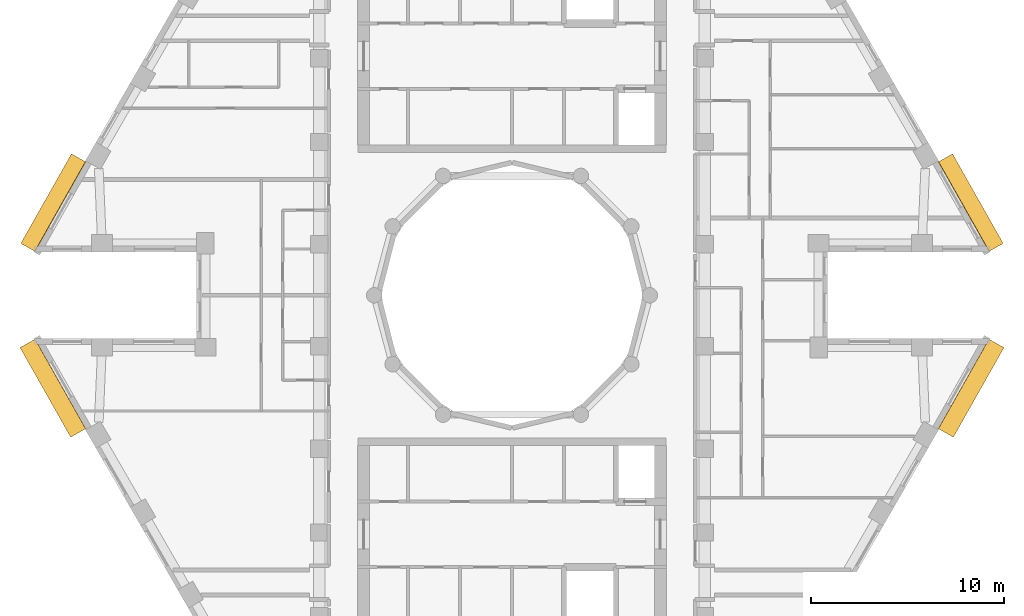
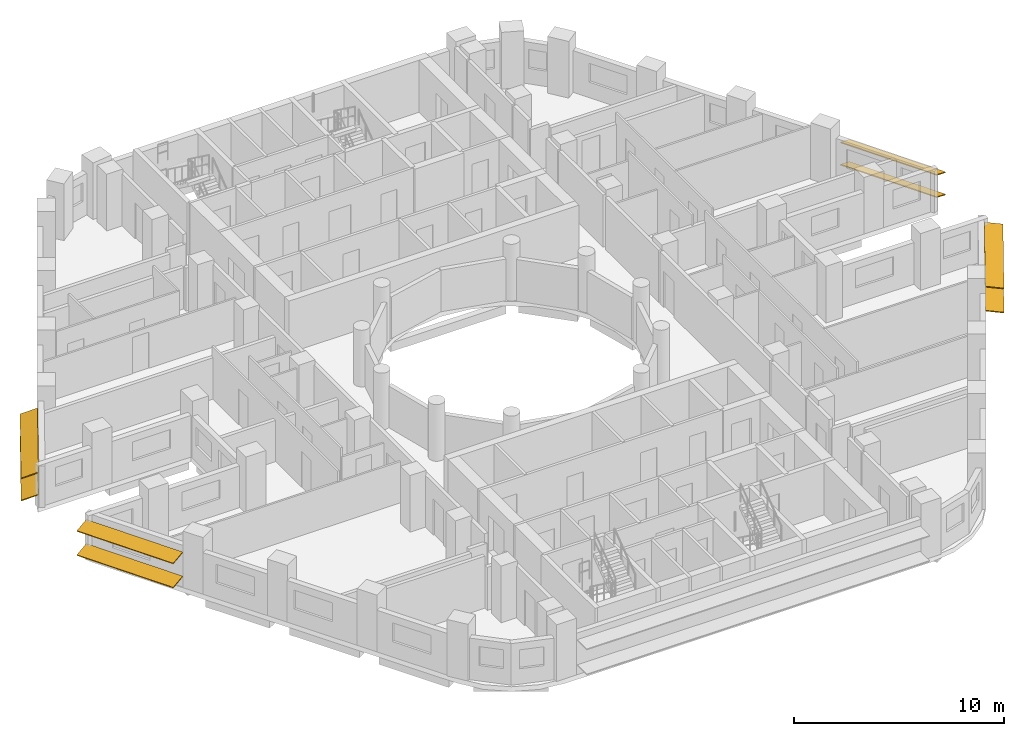
# One storey, part 11 of 12: 8 shading devices.
"""IFC4 building model written with IfcOpenShell, lengths in metres."""

from ifc_helpers import new_model, si_unit, direction, frame, origin, origin_2d, place, context, subcontext, project, spatial, rectangle, extrude, material, material_profile, profile_set, type_object, element, save


model = new_model("IFC4")

# Units and contexts
model_context = context("Model", 3, precision=1e-05, world=origin(), true_north=direction((0.0, 1.0)))
body_context = subcontext(model_context, "Body", "Model", "MODEL_VIEW")
ifc_project = project(units=[si_unit("LENGTHUNIT", "METRE"), si_unit("AREAUNIT", "SQUARE_METRE"), si_unit("VOLUMEUNIT", "CUBIC_METRE"), si_unit("PLANEANGLEUNIT", "RADIAN"), si_unit("MASSUNIT", "GRAM", prefix="KILO")], contexts=[model_context])

# Site, building, storey
site_placement = place(None, origin())
site = spatial("IfcSite", under=ifc_project, at=site_placement, CompositionType="ELEMENT")
building_placement = place(site_placement, origin())
building = spatial("IfcBuilding", under=site, at=building_placement, Name="Nakaniwa Court", CompositionType="ELEMENT")
storey_placement = place(building_placement, frame((0.0, 0.0, 252.60009765625)))
storey = spatial("IfcBuildingStorey", under=building, at=storey_placement, Name="L66", CompositionType="ELEMENT", Elevation=252.60009765625)

# Shading devices
ifc_material = material(Name="Perforated charcoal ceramic louvre blade")
ifc_material_profile = material_profile(ifc_material, rectangle(XDim=0.89990234375, YDim=0.050048828125, at=origin_2d()), Name="Perforated ceramic louvre blade")
ifc_profile_set = profile_set([ifc_material_profile], Name="Perforated charcoal ceramic louvre blade")
shading_device_type = type_object("IfcShadingDeviceType", Name="Perforated ceramic louvre blade", PredefinedType="JALOUSIE", material=ifc_profile_set)
for number, where, z_axis, x_axis, name in (
    (1, (105.103759765625, 82.480224609375, 0.5498046875), (-0.492088911474, 0.870544946114, 0.0), (-0.804858877011, -0.454958851288, 0.38107037635), "L66 perforated ceramic louvre blade w02 1"),
    (2, (105.103759765625, 82.480224609375, 1.84521484375), (-0.492088911474, 0.870544946114, 0.0), (-0.804858877011, -0.454958851288, 0.38107037635), "L66 perforated ceramic louvre blade w02 2"),
    (3, (57.5224609375, 87.126220703125, 0.5498046875), (-0.492088911474, -0.870544946114, 0.0), (0.804858877011, -0.454958851288, 0.38107037635), "L66 perforated ceramic louvre blade w14 1"),
    (4, (57.5224609375, 87.126220703125, 1.84521484375), (-0.492088911474, -0.870544946114, 0.0), (0.804858877011, -0.454958851288, 0.38107037635), "L66 perforated ceramic louvre blade w14 2"),
):
    element("IfcShadingDevice", number, at=place(storey_placement, frame(where, z_axis=z_axis, x_axis=x_axis)), inside=storey, type_object=shading_device_type, Name=name, PredefinedType="JALOUSIE", context=body_context, shape_type="SweptSolid", body=[
        extrude(rectangle(XDim=0.89990234375, YDim=0.050048828125, at=origin_2d()), origin(), (0.0, 0.0, 1.0), 5.3369140625),
    ])
for number, where, z_axis, x_axis, name in (
    (5, (54.87548828125, 77.508056640625, 0.5498046875), (0.492108509021, -0.870533868008, 0.0), (0.862886698285, 0.487785601632, 0.132256390257), "L66 perforated ceramic louvre blade w20 1"),
    (6, (54.87548828125, 77.508056640625, 1.95556640625), (0.492108509021, -0.870533868008, 0.0), (0.862886698285, 0.487785601632, 0.132256390257), "L66 perforated ceramic louvre blade w20 2"),
    (7, (102.498291015625, 72.8623046875, 0.5498046875), (0.492108509021, 0.870533868008, 0.0), (-0.862886698285, 0.487785601632, 0.132256390257), "L66 perforated ceramic louvre blade w32 1"),
    (8, (102.498291015625, 72.8623046875, 1.95556640625), (0.492108509021, 0.870533868008, 0.0), (-0.862886698285, 0.487785601632, 0.132256390257), "L66 perforated ceramic louvre blade w32 2"),
):
    element("IfcShadingDevice", number, at=place(storey_placement, frame(where, z_axis=z_axis, x_axis=x_axis)), inside=storey, type_object=shading_device_type, Name=name, PredefinedType="JALOUSIE", context=body_context, shape_type="SweptSolid", body=[
        extrude(rectangle(XDim=0.89990234375, YDim=0.050048828125, at=origin_2d()), origin(), (0.0, 0.0, 1.0), 5.336669921875),
    ])

save(model, "model.ifc")
